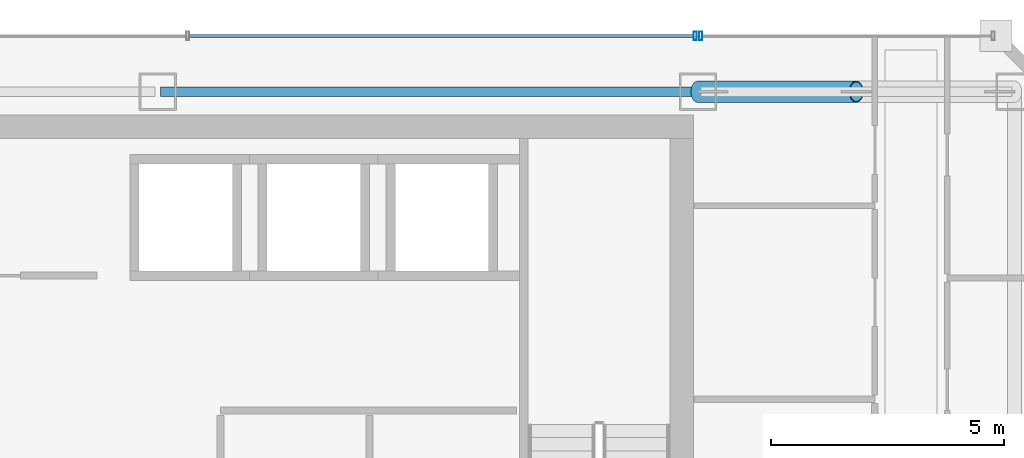
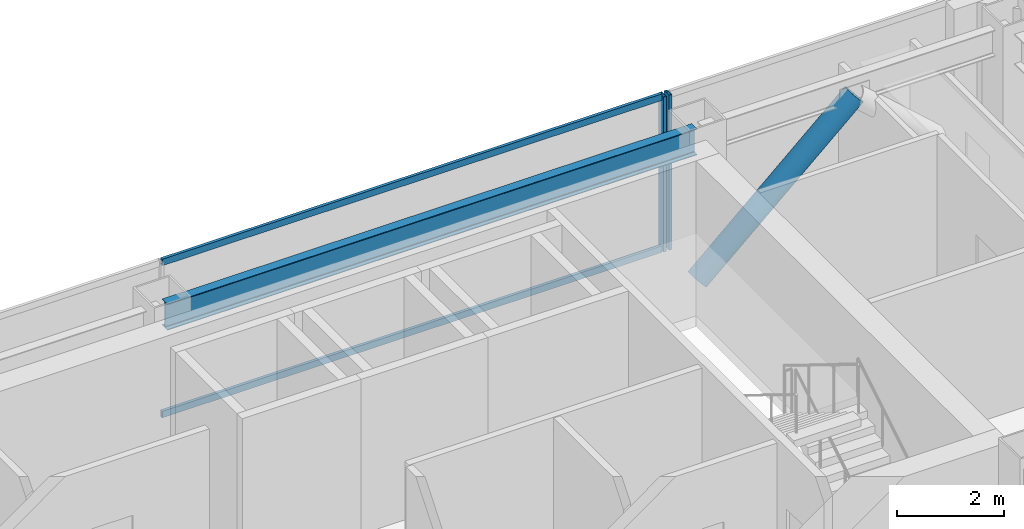
# One storey, part 26 of 36: 5 members, 1 beam, 2 elements without a shape of their own.
"""IFC4 building model written with IfcOpenShell, lengths in metres."""

from ifc_helpers import new_model, si_unit, direction, frame, origin, origin_2d, place, context, subcontext, project, spatial, hollow_rectangle, hollow_circle, i_section, extrude, material, material_profile, profile_set, type_object, element, aggregate, save


model = new_model("IFC4")

# Units and contexts
model_context = context("Model", 3, precision=1e-05, world=origin(), true_north=direction((0.0, 1.0)))
body_context = subcontext(model_context, "Body", "Model", "MODEL_VIEW")
ifc_project = project(units=[si_unit("LENGTHUNIT", "METRE"), si_unit("AREAUNIT", "SQUARE_METRE"), si_unit("VOLUMEUNIT", "CUBIC_METRE"), si_unit("PLANEANGLEUNIT", "RADIAN"), si_unit("MASSUNIT", "GRAM", prefix="KILO")], contexts=[model_context])

# Site, building, storey
site_placement = place(None, origin())
site = spatial("IfcSite", under=ifc_project, at=site_placement, CompositionType="ELEMENT")
building_placement = place(site_placement, origin())
building = spatial("IfcBuilding", under=site, at=building_placement, Name="Saevonmaru Cultural Tower", CompositionType="ELEMENT")
storey_placement = place(building_placement, frame((0.0, 0.0, 198.0)))
storey = spatial("IfcBuildingStorey", under=building, at=storey_placement, Name="L45", CompositionType="ELEMENT", Elevation=198.0)

# Beam
ifc_material_1 = material(Name="Steel SM355", Category="steel")
ifc_material_profile_1 = material_profile(ifc_material_1, i_section(OverallWidth=0.199951171875, OverallDepth=0.60009765625, WebThickness=0.010986328125, FlangeThickness=0.01708984375, FilletRadius=0.02197265625, at=origin_2d()), Name="H-600x200x11x17")
ifc_profile_set_1 = profile_set([ifc_material_profile_1], Name="Steel SM355")
beam_type = type_object("IfcBeamType", Name="BM-SP-H600", PredefinedType="SPANDREL", material=ifc_profile_set_1)
beam_placement = place(storey_placement, frame((34.860107421875, 54.800048828125, 3.25), z_axis=(1.0, 0.0, 0.0), x_axis=(0.0, 1.0, 0.0)))
element("IfcBeam", 1, at=beam_placement, inside=storey, type_object=beam_type, Name="L45 North Spine Girder 4", PredefinedType="SPANDREL", context=body_context, shape_type="SweptSolid", body=[
    extrude(i_section(OverallWidth=0.199951171875, OverallDepth=0.60009765625, WebThickness=0.010986328125, FlangeThickness=0.01708984375, FilletRadius=0.02197265625, at=origin_2d()), origin(), (0.0, 0.0, 1.0), 11.47998046875),
])

# Member
ifc_material_2 = material(Name="Steel SM420", Category="steel")
ifc_material_profile_2 = material_profile(ifc_material_2, hollow_circle(Radius=0.228515625, WallThickness=0.02001953125, at=origin_2d()), Name="CHS-457.2x20")
ifc_profile_set_2 = profile_set([ifc_material_profile_2], Name="Steel SM420")
member_type_1 = type_object("IfcMemberType", Name="MB-PBR-CHS457", PredefinedType="BRACE", material=ifc_profile_set_2)
member_1_placement = place(storey_placement, frame((46.39990234375, 54.800048828125, 0.02001953125), z_axis=(0.744390779303, 0.0, 0.66774423823), x_axis=(0.0, 1.0, 0.0)))
element("IfcMember", 2, at=member_1_placement, inside=storey, type_object=member_type_1, Name="L45 Perimeter Braced-Tube Diagonal EN1", PredefinedType="BRACE", context=body_context, shape_type="SweptSolid", body=[
    extrude(hollow_circle(Radius=0.228515625, WallThickness=0.02001953125, at=origin_2d()), origin(), (0.0, 0.0, 1.0), 4.567626953125),
])

# Curtain wall, member
ifc_material_3 = material(Name="Satin Bronze Anodised Aluminium", Category="aluminium")
curtain_wall_type = type_object("IfcCurtainWallType", Name="CW-TYP-B", PredefinedType="NOTDEFINED", material=ifc_material_3)
curtain_wall_1_placement = place(storey_placement, origin())
curtain_wall_1 = element("IfcCurtainWall", 3, at=curtain_wall_1_placement, inside=storey, type_object=curtain_wall_type, Name="L45 East Braced Bay Spandrel Curtain Wall E10A", PredefinedType="NOTDEFINED")
ifc_material_profile_3 = material_profile(ifc_material_3, hollow_rectangle(XDim=0.06494140625, YDim=0.179931640625, WallThickness=0.00390625, at=origin_2d()), Name="ALU-MULL-180x65x4")
ifc_profile_set_3 = profile_set([ifc_material_profile_3], Name="Satin Bronze Anodised Aluminium")
member_type_2 = type_object("IfcMemberType", Name="ML-CW-180x65", PredefinedType="MULLION", material=ifc_profile_set_3)
member_2_placement = place(storey_placement, frame((46.4599609375, 56.0, 0.0), z_axis=(0.0, 0.0, 1.0), x_axis=(-1.0, 0.0, 0.0)))
member_2 = element("IfcMember", 4, at=member_2_placement, type_object=member_type_2, Name="CW-TW-L45-E10A mullion 2", PredefinedType="MULLION", context=body_context, shape_type="SweptSolid", body=[
    extrude(hollow_rectangle(XDim=0.06494140625, YDim=0.179931640625, WallThickness=0.00390625, at=origin_2d()), origin(), (0.0, 0.0, 1.0), 3.550048828125),
])
aggregate(curtain_wall_1, [member_2])

# Curtain wall, members
curtain_wall_2_placement = place(storey_placement, origin())
curtain_wall_2 = element("IfcCurtainWall", 5, at=curtain_wall_2_placement, inside=storey, type_object=curtain_wall_type, Name="L45 North Spine Unitised Curtain Wall E10B", PredefinedType="NOTDEFINED")
member_3_placement = place(storey_placement, frame((46.340087890625, 56.0, 0.0), z_axis=(0.0, 0.0, 1.0), x_axis=(-1.0, 0.0, 0.0)))
member_3 = element("IfcMember", 6, at=member_3_placement, type_object=member_type_2, Name="CW-TW-L45-E10B mullion 1", PredefinedType="MULLION", context=body_context, shape_type="SweptSolid", body=[
    extrude(hollow_rectangle(XDim=0.06494140625, YDim=0.179931640625, WallThickness=0.00390625, at=origin_2d()), origin(), (0.0, 0.0, 1.0), 3.550048828125),
])
ifc_material_profile_4 = material_profile(ifc_material_3, hollow_rectangle(XDim=0.06494140625, YDim=0.14990234375, WallThickness=0.00390625, at=origin_2d()), Name="ALU-TRAN-150x65x4")
ifc_profile_set_4 = profile_set([ifc_material_profile_4], Name="Satin Bronze Anodised Aluminium")
member_type_3 = type_object("IfcMemberType", Name="TR-CW-150x65", PredefinedType="USERDEFINED", material=ifc_profile_set_4)
member_4_placement = place(storey_placement, frame((46.3076171875, 56.0, 0.032470703125), z_axis=(-1.0, 0.0, 0.0), x_axis=(0.0, -1.0, 0.0)))
member_4 = element("IfcMember", 7, at=member_4_placement, type_object=member_type_3, Name="CW-TW-L45-E10B transom 1.1", ObjectType="TRANSOM", PredefinedType="USERDEFINED", context=body_context, shape_type="SweptSolid", body=[
    extrude(hollow_rectangle(XDim=0.06494140625, YDim=0.14990234375, WallThickness=0.00390625, at=origin_2d()), origin(), (0.0, 0.0, 1.0), 10.828369140625),
])
member_5_placement = place(storey_placement, frame((46.3076171875, 56.0, 3.517578125), z_axis=(-1.0, 0.0, 0.0), x_axis=(0.0, -1.0, 0.0)))
member_5 = element("IfcMember", 8, at=member_5_placement, type_object=member_type_3, Name="CW-TW-L45-E10B transom 1.2", ObjectType="TRANSOM", PredefinedType="USERDEFINED", context=body_context, shape_type="SweptSolid", body=[
    extrude(hollow_rectangle(XDim=0.06494140625, YDim=0.14990234375, WallThickness=0.00390625, at=origin_2d()), origin(), (0.0, 0.0, 1.0), 10.828369140625),
])
aggregate(curtain_wall_2, [member_3, member_4, member_5])

save(model, "model.ifc")
